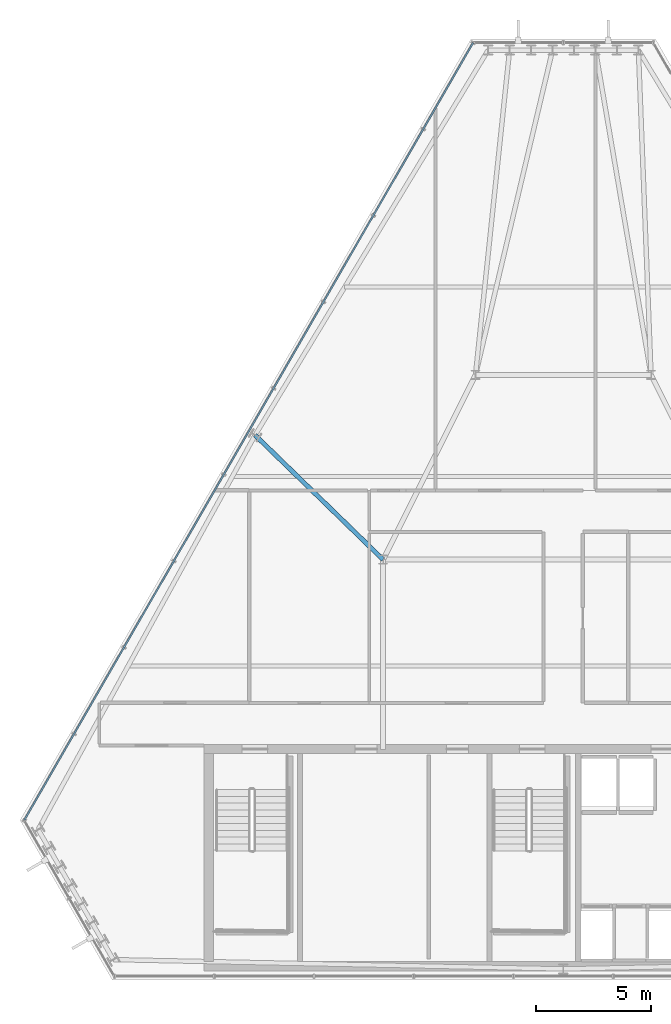
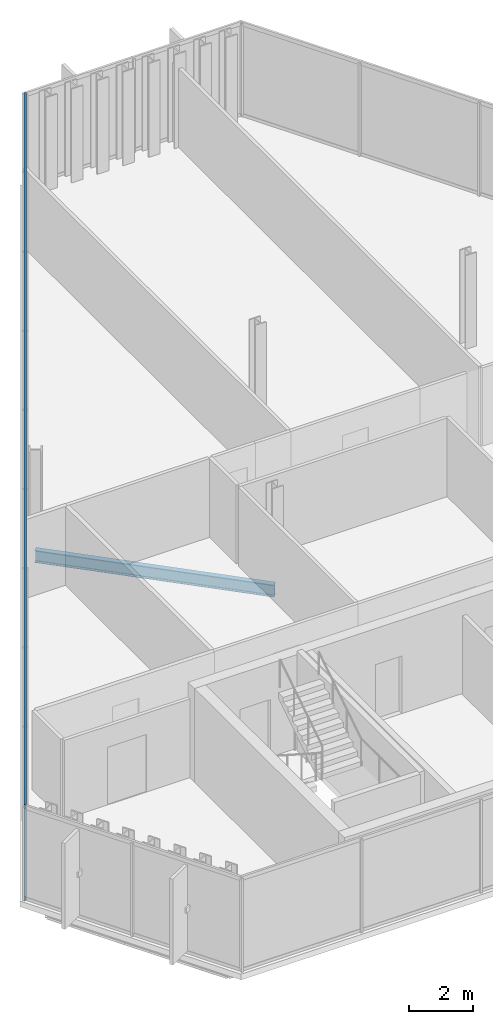
# One storey, part 11 of 30: 2 members, 1 beam, 1 element without a shape of its own.
"""IFC4 building model written with IfcOpenShell, lengths in metres."""

from ifc_helpers import new_model, si_unit, direction, frame, origin, origin_2d, place, context, subcontext, project, spatial, hollow_rectangle, i_section, extrude, material, layer, layer_set, material_profile, profile_set, type_object, element, aggregate, save


model = new_model("IFC4")

# Units and contexts
model_context = context("Model", 3, precision=1e-05, world=origin(), true_north=direction((0.0, 1.0)))
body_context = subcontext(model_context, "Body", "Model", "MODEL_VIEW")
ifc_project = project(units=[si_unit("LENGTHUNIT", "METRE"), si_unit("AREAUNIT", "SQUARE_METRE"), si_unit("VOLUMEUNIT", "CUBIC_METRE"), si_unit("PLANEANGLEUNIT", "RADIAN"), si_unit("MASSUNIT", "GRAM", prefix="KILO")], contexts=[model_context])

# Site, building, storey
site_placement = place(None, origin())
site = spatial("IfcSite", under=ifc_project, at=site_placement, CompositionType="ELEMENT")
building_placement = place(site_placement, origin())
building = spatial("IfcBuilding", under=site, at=building_placement, Name="Ndaravel Arena Tower", CompositionType="ELEMENT")
storey_placement = place(building_placement, frame((0.0, 0.0, 221.800048828125)))
storey = spatial("IfcBuildingStorey", under=building, at=storey_placement, Name="L53", CompositionType="ELEMENT", Elevation=221.800048828125)

# Beam
ifc_material_1 = material(Name="Steel S355", Category="steel")
ifc_material_profile_1 = material_profile(ifc_material_1, i_section(OverallWidth=0.19140625, OverallDepth=0.4599609375, WebThickness=0.010009765625, FlangeThickness=0.01611328125, FilletRadius=0.01025390625, at=origin_2d()), Name="UB 457x191x82")
ifc_profile_set_1 = profile_set([ifc_material_profile_1], Name="Steel S355")
beam_type = type_object("IfcBeamType", Name="BM-GIRD-UB457", PredefinedType="BEAM", material=ifc_profile_set_1)
beam_placement = place(storey_placement, frame((28.65869140625, 28.587890625, -0.449951171875), z_axis=(0.716955886735, -0.697118538325, 0.0), x_axis=(0.697118538325, 0.716955886735, 0.0)))
element("IfcBeam", 1, at=beam_placement, inside=storey, type_object=beam_type, Name="L53 Radial Floor Girder FG-19", PredefinedType="BEAM", context=body_context, shape_type="SweptSolid", body=[
    extrude(i_section(OverallWidth=0.19140625, OverallDepth=0.4599609375, WebThickness=0.010009765625, FlangeThickness=0.01611328125, FilletRadius=0.01025390625, at=origin_2d()), origin(), (0.0, 0.0, 1.0), 7.728759765625),
])

# Curtain wall, members
ifc_material_2 = material(Name="Aluminium", Category="aluminium")
ifc_layer = layer(ifc_material_2, 0.179931640625)
ifc_layer_set = layer_set([ifc_layer], Name="Aluminium")
curtain_wall_type = type_object("IfcCurtainWallType", Name="CW-SYS-03", PredefinedType="NOTDEFINED", material=ifc_layer_set)
curtain_wall_placement = place(storey_placement, origin())
curtain_wall = element("IfcCurtainWall", 2, at=curtain_wall_placement, inside=storey, type_object=curtain_wall_type, Name="L53 Faceted Crystal Curtain Wall CW-L53-E05", PredefinedType="NOTDEFINED")
ifc_material_3 = material(Name="Aluminium", Category="aluminium")
ifc_material_profile_2 = material_profile(ifc_material_3, hollow_rectangle(XDim=0.074951171875, YDim=0.14990234375, WallThickness=0.00390625, at=origin_2d()), Name="CW TRANSOM 75x150x4")
ifc_profile_set_2 = profile_set([ifc_material_profile_2], Name="Aluminium")
member_type = type_object("IfcMemberType", Name="MEM-CW-TRN150", PredefinedType="USERDEFINED", material=ifc_profile_set_2)
member_1_placement = place(storey_placement, frame((38.09814453125, 45.57763671875, 0.0400390625), z_axis=(-0.500001393255, -0.866024599387, 0.0), x_axis=(0.866024599387, -0.500001393255, 0.0)))
member_1 = element("IfcMember", 3, at=member_1_placement, type_object=member_type, Name="CW-L53-E05 Transom 01", ObjectType="TRANSOM", PredefinedType="USERDEFINED", context=body_context, shape_type="SweptSolid", body=[
    extrude(hollow_rectangle(XDim=0.074951171875, YDim=0.14990234375, WallThickness=0.00390625, at=origin_2d()), origin(), (0.0, 0.0, 1.0), 38.86669921875),
])
member_2_placement = place(storey_placement, frame((38.09814453125, 45.57763671875, 3.5400390625), z_axis=(-0.500001393255, -0.866024599387, 0.0), x_axis=(0.866024599387, -0.500001393255, 0.0)))
member_2 = element("IfcMember", 4, at=member_2_placement, type_object=member_type, Name="CW-L53-E05 Transom 02", ObjectType="TRANSOM", PredefinedType="USERDEFINED", context=body_context, shape_type="SweptSolid", body=[
    extrude(hollow_rectangle(XDim=0.074951171875, YDim=0.14990234375, WallThickness=0.00390625, at=origin_2d()), origin(), (0.0, 0.0, 1.0), 38.86669921875),
])
aggregate(curtain_wall, [member_1, member_2])

save(model, "model.ifc")
